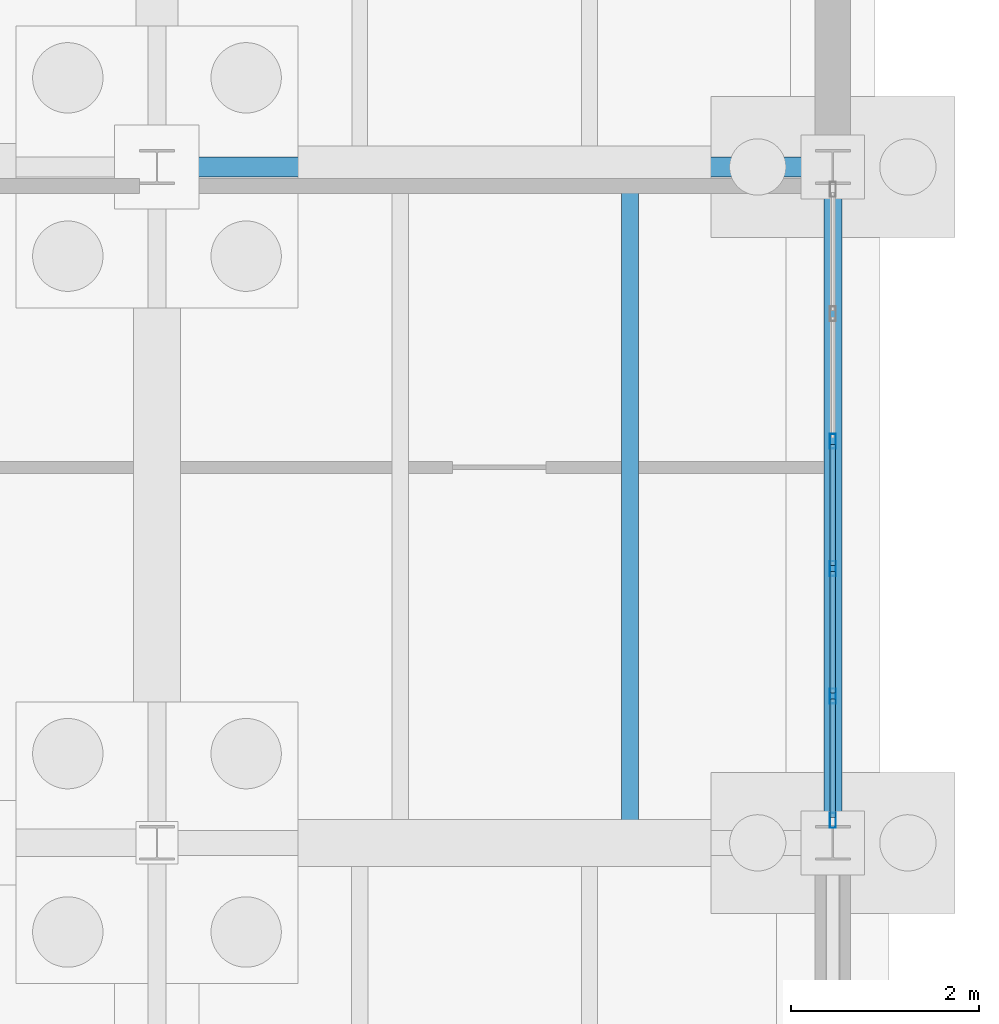
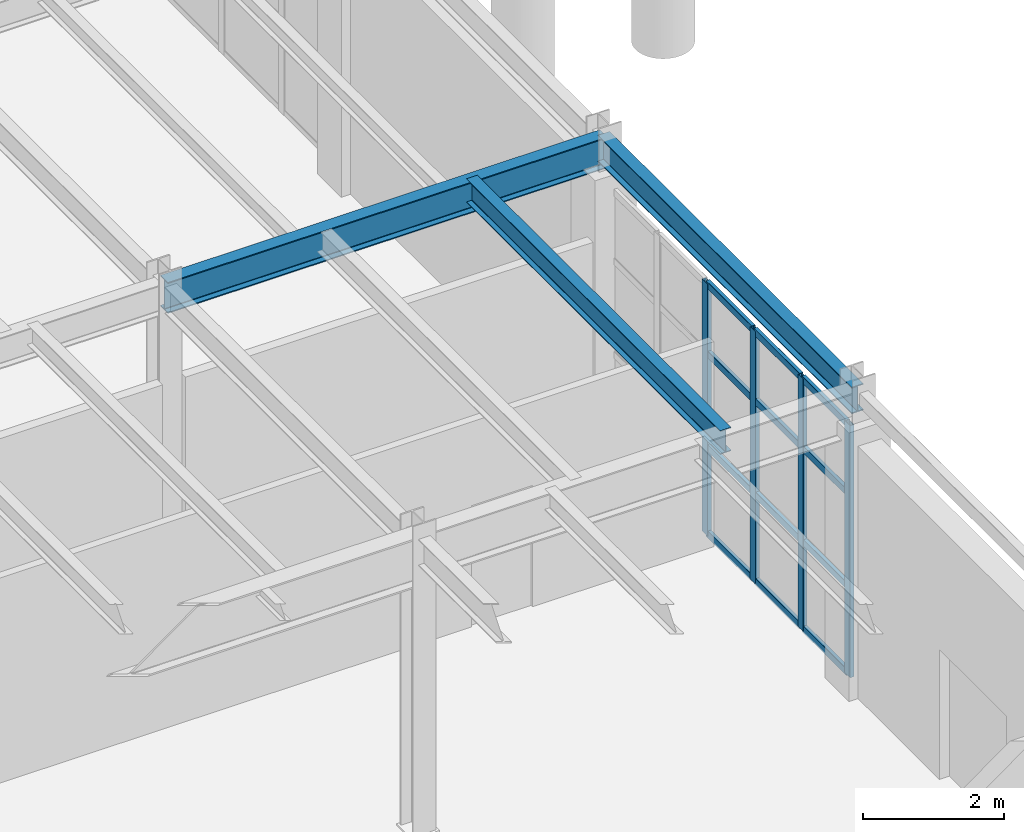
# One storey, part 69 of 293: 16 members, 3 beams, 1 element without a shape of its own.
"""IFC4 building model written with IfcOpenShell, lengths in metres."""

from ifc_helpers import new_model, si_unit, direction, frame, origin, origin_2d, place, context, subcontext, project, spatial, hollow_rectangle, i_section, extrude, material, layer, layer_set, material_profile, profile_set, type_object, element, aggregate, save


model = new_model("IFC4")

# Units and contexts
model_context = context("Model", 3, precision=1e-05, world=origin(), true_north=direction((0.0, 1.0)))
body_context = subcontext(model_context, "Body", "Model", "MODEL_VIEW")
ifc_project = project(units=[si_unit("LENGTHUNIT", "METRE"), si_unit("AREAUNIT", "SQUARE_METRE"), si_unit("VOLUMEUNIT", "CUBIC_METRE"), si_unit("PLANEANGLEUNIT", "RADIAN"), si_unit("MASSUNIT", "GRAM", prefix="KILO")], contexts=[model_context])

# Site, building, storey
site_placement = place(None, origin())
site = spatial("IfcSite", under=ifc_project, at=site_placement, CompositionType="ELEMENT")
building_placement = place(site_placement, origin())
building = spatial("IfcBuilding", under=site, at=building_placement, Name="Kemerveld Promenade Tramway Depot", CompositionType="ELEMENT")
storey_placement = place(building_placement, origin())
storey = spatial("IfcBuildingStorey", under=building, at=storey_placement, Name="L00", CompositionType="ELEMENT", Elevation=0.0)

# Beams
ifc_material_1 = material(Name="Steel S355", Category="steel")
ifc_material_profile_1 = material_profile(ifc_material_1, i_section(OverallWidth=0.2099609375, OverallDepth=0.53662109375, WebThickness=0.0107421875, FlangeThickness=0.017333984375, FilletRadius=0.0126953125, at=origin_2d()), Name="533x210x101 UB")
ifc_profile_set_1 = profile_set([ifc_material_profile_1], Name="Steel S355")
beam_type_1 = type_object("IfcBeamType", Name="BM-G05", PredefinedType="BEAM", material=ifc_profile_set_1)
beam_1_placement = place(storey_placement, frame((50.39990234375, 57.60009765625, 4.881591796875), z_axis=(1.0, 0.0, 0.0), x_axis=(0.0, 1.0, 0.0)))
element("IfcBeam", 1, at=beam_1_placement, inside=storey, type_object=beam_type_1, Name="BMX-L00-08-09-J", PredefinedType="BEAM", context=body_context, shape_type="SweptSolid", body=[
    extrude(i_section(OverallWidth=0.2099609375, OverallDepth=0.53662109375, WebThickness=0.0107421875, FlangeThickness=0.017333984375, FilletRadius=0.0126953125, at=origin_2d()), origin(), (0.0, 0.0, 1.0), 7.2001953125),
])
ifc_material_profile_2 = material_profile(ifc_material_1, i_section(OverallWidth=0.19140625, OverallDepth=0.4599609375, WebThickness=0.010009765625, FlangeThickness=0.01611328125, FilletRadius=0.01025390625, at=origin_2d()), Name="457x191x82 UB")
ifc_profile_set_2 = profile_set([ifc_material_profile_2], Name="Steel S355")
beam_type_2 = type_object("IfcBeamType", Name="BM-G06", PredefinedType="BEAM", material=ifc_profile_set_2)
beam_2_placement = place(storey_placement, frame((57.60009765625, 50.39990234375, 4.919921875), z_axis=(0.0, 1.0, 0.0), x_axis=(-1.0, 0.0, 0.0)))
element("IfcBeam", 2, at=beam_2_placement, inside=storey, type_object=beam_type_2, Name="BMY-L00-09-H-J", PredefinedType="BEAM", context=body_context, shape_type="SweptSolid", body=[
    extrude(i_section(OverallWidth=0.19140625, OverallDepth=0.4599609375, WebThickness=0.010009765625, FlangeThickness=0.01611328125, FilletRadius=0.01025390625, at=origin_2d()), origin(), (0.0, 0.0, 1.0), 7.2001953125),
])
ifc_material_profile_3 = material_profile(ifc_material_1, i_section(OverallWidth=0.1787109375, OverallDepth=0.409423828125, WebThickness=0.0087890625, FlangeThickness=0.014404296875, FilletRadius=0.01025390625, at=origin_2d()), Name="406x178x67 UB")
ifc_profile_set_3 = profile_set([ifc_material_profile_3], Name="Steel S355")
beam_type_3 = type_object("IfcBeamType", Name="BM-J05", PredefinedType="JOIST", material=ifc_profile_set_3)
beam_3_placement = place(storey_placement, frame((55.43994140625, 50.39990234375, 4.9453125), z_axis=(0.0, 1.0, 0.0), x_axis=(-1.0, 0.0, 0.0)))
element("IfcBeam", 3, at=beam_3_placement, inside=storey, type_object=beam_type_3, Name="JST-L00-08-H-2", PredefinedType="JOIST", context=body_context, shape_type="SweptSolid", body=[
    extrude(i_section(OverallWidth=0.1787109375, OverallDepth=0.409423828125, WebThickness=0.0087890625, FlangeThickness=0.014404296875, FilletRadius=0.01025390625, at=origin_2d()), origin(), (0.0, 0.0, 1.0), 7.2001953125),
])

# Curtain wall, members
ifc_material_2 = material(Name="Bronze anodised aluminium and solar glass", Category="aluminium")
ifc_layer = layer(ifc_material_2, 0.159912109375)
ifc_layer_set = layer_set([ifc_layer], Name="CW-SYS-07")
curtain_wall_type = type_object("IfcCurtainWallType", Name="CW-SYS-07", PredefinedType="USERDEFINED", material=ifc_layer_set)
curtain_wall_placement = place(storey_placement, origin())
curtain_wall = element("IfcCurtainWall", 4, at=curtain_wall_placement, inside=storey, type_object=curtain_wall_type, Name="CW-L00-V5E-04", ObjectType="GLAZED_CURTAIN_WALL", PredefinedType="USERDEFINED")
ifc_material_3 = material(Name="Bronze anodised aluminium", Category="aluminium")
ifc_material_profile_4 = material_profile(ifc_material_3, hollow_rectangle(XDim=0.06494140625, YDim=0.159912109375, WallThickness=0.00390625, InnerFilletRadius=0.001953125, OuterFilletRadius=0.00390625, at=origin_2d()), Name="CW-MUL-160x65")
ifc_profile_set_4 = profile_set([ifc_material_profile_4], Name="Bronze anodised aluminium")
member_type_1 = type_object("IfcMemberType", Name="CW-MUL-A", PredefinedType="MULLION", material=ifc_profile_set_4)
member_1_placement = place(storey_placement, frame((57.60009765625, 54.6787109375, 0.0), z_axis=(0.0, 0.0, 1.0), x_axis=(1.0, 0.0, 0.0)))
member_1 = element("IfcMember", 5, at=member_1_placement, type_object=member_type_1, Name="CW07 mullion 3", PredefinedType="MULLION", context=body_context, shape_type="SweptSolid", body=[
    extrude(hollow_rectangle(XDim=0.06494140625, YDim=0.159912109375, WallThickness=0.00390625, InnerFilletRadius=0.001953125, OuterFilletRadius=0.00390625, at=origin_2d()), origin(), (0.0, 0.0, 1.0), 4.367919921875),
])
member_2_placement = place(storey_placement, frame((57.60009765625, 53.3212890625, 0.0), z_axis=(0.0, 0.0, 1.0), x_axis=(1.0, 0.0, 0.0)))
member_2 = element("IfcMember", 6, at=member_2_placement, type_object=member_type_1, Name="CW07 mullion 4", PredefinedType="MULLION", context=body_context, shape_type="SweptSolid", body=[
    extrude(hollow_rectangle(XDim=0.06494140625, YDim=0.159912109375, WallThickness=0.00390625, InnerFilletRadius=0.001953125, OuterFilletRadius=0.00390625, at=origin_2d()), origin(), (0.0, 0.0, 1.0), 4.367919921875),
])
member_3_placement = place(storey_placement, frame((57.60009765625, 51.9638671875, 0.0), z_axis=(0.0, 0.0, 1.0), x_axis=(1.0, 0.0, 0.0)))
member_3 = element("IfcMember", 7, at=member_3_placement, type_object=member_type_1, Name="CW07 mullion 5", PredefinedType="MULLION", context=body_context, shape_type="SweptSolid", body=[
    extrude(hollow_rectangle(XDim=0.06494140625, YDim=0.159912109375, WallThickness=0.00390625, InnerFilletRadius=0.001953125, OuterFilletRadius=0.00390625, at=origin_2d()), origin(), (0.0, 0.0, 1.0), 4.367919921875),
])
member_4_placement = place(storey_placement, frame((57.60009765625, 50.638916015625, 0.0), z_axis=(0.0, 0.0, 1.0), x_axis=(1.0, 0.0, 0.0)))
member_4 = element("IfcMember", 8, at=member_4_placement, type_object=member_type_1, Name="CW07 mullion 6", PredefinedType="MULLION", context=body_context, shape_type="SweptSolid", body=[
    extrude(hollow_rectangle(XDim=0.06494140625, YDim=0.159912109375, WallThickness=0.00390625, InnerFilletRadius=0.001953125, OuterFilletRadius=0.00390625, at=origin_2d()), origin(), (0.0, 0.0, 1.0), 4.367919921875),
])
ifc_material_profile_5 = material_profile(ifc_material_3, hollow_rectangle(XDim=0.06005859375, YDim=0.1201171875, WallThickness=0.00390625, InnerFilletRadius=0.001953125, OuterFilletRadius=0.00390625, at=origin_2d()), Name="CW-TRN-120x60")
ifc_profile_set_5 = profile_set([ifc_material_profile_5], Name="Bronze anodised aluminium")
member_type_2 = type_object("IfcMemberType", Name="CW-TRN-A", PredefinedType="USERDEFINED", material=ifc_profile_set_5)
member_5_placement = place(storey_placement, frame((57.60009765625, 54.646240234375, 0.030029296875), z_axis=(0.0, -1.0, 0.0), x_axis=(1.0, 0.0, 0.0)))
member_5 = element("IfcMember", 9, at=member_5_placement, type_object=member_type_2, Name="CW07 transom 3.1", ObjectType="TRANSOM", PredefinedType="USERDEFINED", context=body_context, shape_type="SweptSolid", body=[
    extrude(hollow_rectangle(XDim=0.06005859375, YDim=0.1201171875, WallThickness=0.00390625, InnerFilletRadius=0.001953125, OuterFilletRadius=0.00390625, at=origin_2d()), origin(), (0.0, 0.0, 1.0), 1.29248046875),
])
member_6_placement = place(storey_placement, frame((57.60009765625, 54.646240234375, 1.529052734375), z_axis=(0.0, -1.0, 0.0), x_axis=(1.0, 0.0, 0.0)))
member_6 = element("IfcMember", 10, at=member_6_placement, type_object=member_type_2, Name="CW07 transom 3.2", ObjectType="TRANSOM", PredefinedType="USERDEFINED", context=body_context, shape_type="SweptSolid", body=[
    extrude(hollow_rectangle(XDim=0.06005859375, YDim=0.1201171875, WallThickness=0.00390625, InnerFilletRadius=0.001953125, OuterFilletRadius=0.00390625, at=origin_2d()), origin(), (0.0, 0.0, 1.0), 1.29248046875),
])
member_7_placement = place(storey_placement, frame((57.60009765625, 54.646240234375, 3.14501953125), z_axis=(0.0, -1.0, 0.0), x_axis=(1.0, 0.0, 0.0)))
member_7 = element("IfcMember", 11, at=member_7_placement, type_object=member_type_2, Name="CW07 transom 3.3", ObjectType="TRANSOM", PredefinedType="USERDEFINED", context=body_context, shape_type="SweptSolid", body=[
    extrude(hollow_rectangle(XDim=0.06005859375, YDim=0.1201171875, WallThickness=0.00390625, InnerFilletRadius=0.001953125, OuterFilletRadius=0.00390625, at=origin_2d()), origin(), (0.0, 0.0, 1.0), 1.29248046875),
])
member_8_placement = place(storey_placement, frame((57.60009765625, 54.646240234375, 4.337890625), z_axis=(0.0, -1.0, 0.0), x_axis=(1.0, 0.0, 0.0)))
member_8 = element("IfcMember", 12, at=member_8_placement, type_object=member_type_2, Name="CW07 transom 3.4", ObjectType="TRANSOM", PredefinedType="USERDEFINED", context=body_context, shape_type="SweptSolid", body=[
    extrude(hollow_rectangle(XDim=0.06005859375, YDim=0.1201171875, WallThickness=0.00390625, InnerFilletRadius=0.001953125, OuterFilletRadius=0.00390625, at=origin_2d()), origin(), (0.0, 0.0, 1.0), 1.29248046875),
])
member_9_placement = place(storey_placement, frame((57.60009765625, 53.288818359375, 0.030029296875), z_axis=(0.0, -1.0, 0.0), x_axis=(1.0, 0.0, 0.0)))
member_9 = element("IfcMember", 13, at=member_9_placement, type_object=member_type_2, Name="CW07 transom 4.1", ObjectType="TRANSOM", PredefinedType="USERDEFINED", context=body_context, shape_type="SweptSolid", body=[
    extrude(hollow_rectangle(XDim=0.06005859375, YDim=0.1201171875, WallThickness=0.00390625, InnerFilletRadius=0.001953125, OuterFilletRadius=0.00390625, at=origin_2d()), origin(), (0.0, 0.0, 1.0), 1.29248046875),
])
member_10_placement = place(storey_placement, frame((57.60009765625, 53.288818359375, 1.529052734375), z_axis=(0.0, -1.0, 0.0), x_axis=(1.0, 0.0, 0.0)))
member_10 = element("IfcMember", 14, at=member_10_placement, type_object=member_type_2, Name="CW07 transom 4.2", ObjectType="TRANSOM", PredefinedType="USERDEFINED", context=body_context, shape_type="SweptSolid", body=[
    extrude(hollow_rectangle(XDim=0.06005859375, YDim=0.1201171875, WallThickness=0.00390625, InnerFilletRadius=0.001953125, OuterFilletRadius=0.00390625, at=origin_2d()), origin(), (0.0, 0.0, 1.0), 1.29248046875),
])
member_11_placement = place(storey_placement, frame((57.60009765625, 53.288818359375, 3.14501953125), z_axis=(0.0, -1.0, 0.0), x_axis=(1.0, 0.0, 0.0)))
member_11 = element("IfcMember", 15, at=member_11_placement, type_object=member_type_2, Name="CW07 transom 4.3", ObjectType="TRANSOM", PredefinedType="USERDEFINED", context=body_context, shape_type="SweptSolid", body=[
    extrude(hollow_rectangle(XDim=0.06005859375, YDim=0.1201171875, WallThickness=0.00390625, InnerFilletRadius=0.001953125, OuterFilletRadius=0.00390625, at=origin_2d()), origin(), (0.0, 0.0, 1.0), 1.29248046875),
])
member_12_placement = place(storey_placement, frame((57.60009765625, 53.288818359375, 4.337890625), z_axis=(0.0, -1.0, 0.0), x_axis=(1.0, 0.0, 0.0)))
member_12 = element("IfcMember", 16, at=member_12_placement, type_object=member_type_2, Name="CW07 transom 4.4", ObjectType="TRANSOM", PredefinedType="USERDEFINED", context=body_context, shape_type="SweptSolid", body=[
    extrude(hollow_rectangle(XDim=0.06005859375, YDim=0.1201171875, WallThickness=0.00390625, InnerFilletRadius=0.001953125, OuterFilletRadius=0.00390625, at=origin_2d()), origin(), (0.0, 0.0, 1.0), 1.29248046875),
])
member_13_placement = place(storey_placement, frame((57.60009765625, 51.931396484375, 0.030029296875), z_axis=(0.0, -1.0, 0.0), x_axis=(1.0, 0.0, 0.0)))
member_13 = element("IfcMember", 17, at=member_13_placement, type_object=member_type_2, Name="CW07 transom 5.1", ObjectType="TRANSOM", PredefinedType="USERDEFINED", context=body_context, shape_type="SweptSolid", body=[
    extrude(hollow_rectangle(XDim=0.06005859375, YDim=0.1201171875, WallThickness=0.00390625, InnerFilletRadius=0.001953125, OuterFilletRadius=0.00390625, at=origin_2d()), origin(), (0.0, 0.0, 1.0), 1.260009765625),
])
member_14_placement = place(storey_placement, frame((57.60009765625, 51.931396484375, 1.529052734375), z_axis=(0.0, -1.0, 0.0), x_axis=(1.0, 0.0, 0.0)))
member_14 = element("IfcMember", 18, at=member_14_placement, type_object=member_type_2, Name="CW07 transom 5.2", ObjectType="TRANSOM", PredefinedType="USERDEFINED", context=body_context, shape_type="SweptSolid", body=[
    extrude(hollow_rectangle(XDim=0.06005859375, YDim=0.1201171875, WallThickness=0.00390625, InnerFilletRadius=0.001953125, OuterFilletRadius=0.00390625, at=origin_2d()), origin(), (0.0, 0.0, 1.0), 1.260009765625),
])
member_15_placement = place(storey_placement, frame((57.60009765625, 51.931396484375, 3.14501953125), z_axis=(0.0, -1.0, 0.0), x_axis=(1.0, 0.0, 0.0)))
member_15 = element("IfcMember", 19, at=member_15_placement, type_object=member_type_2, Name="CW07 transom 5.3", ObjectType="TRANSOM", PredefinedType="USERDEFINED", context=body_context, shape_type="SweptSolid", body=[
    extrude(hollow_rectangle(XDim=0.06005859375, YDim=0.1201171875, WallThickness=0.00390625, InnerFilletRadius=0.001953125, OuterFilletRadius=0.00390625, at=origin_2d()), origin(), (0.0, 0.0, 1.0), 1.260009765625),
])
member_16_placement = place(storey_placement, frame((57.60009765625, 51.931396484375, 4.337890625), z_axis=(0.0, -1.0, 0.0), x_axis=(1.0, 0.0, 0.0)))
member_16 = element("IfcMember", 20, at=member_16_placement, type_object=member_type_2, Name="CW07 transom 5.4", ObjectType="TRANSOM", PredefinedType="USERDEFINED", context=body_context, shape_type="SweptSolid", body=[
    extrude(hollow_rectangle(XDim=0.06005859375, YDim=0.1201171875, WallThickness=0.00390625, InnerFilletRadius=0.001953125, OuterFilletRadius=0.00390625, at=origin_2d()), origin(), (0.0, 0.0, 1.0), 1.260009765625),
])
aggregate(curtain_wall, [member_1, member_2, member_3, member_4, member_5, member_6, member_7, member_8, member_9, member_10, member_11, member_12, member_13, member_14, member_15, member_16])

save(model, "model.ifc")
